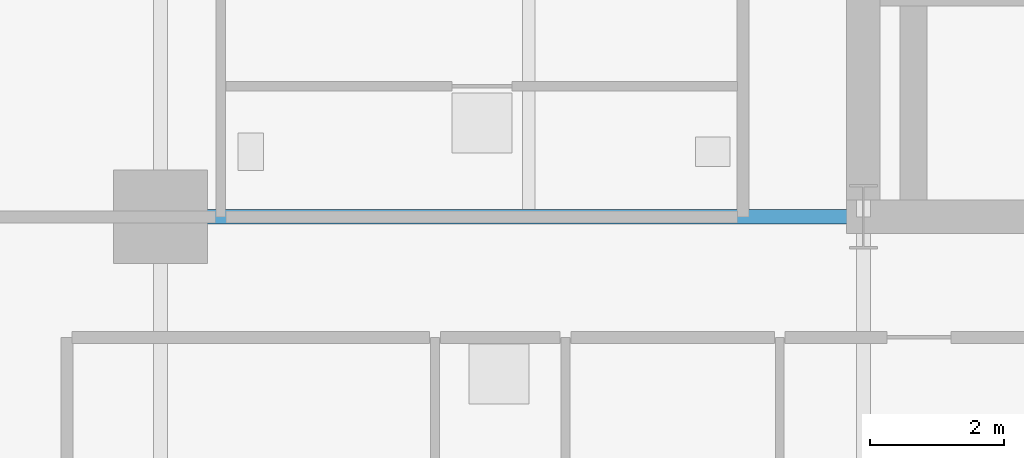
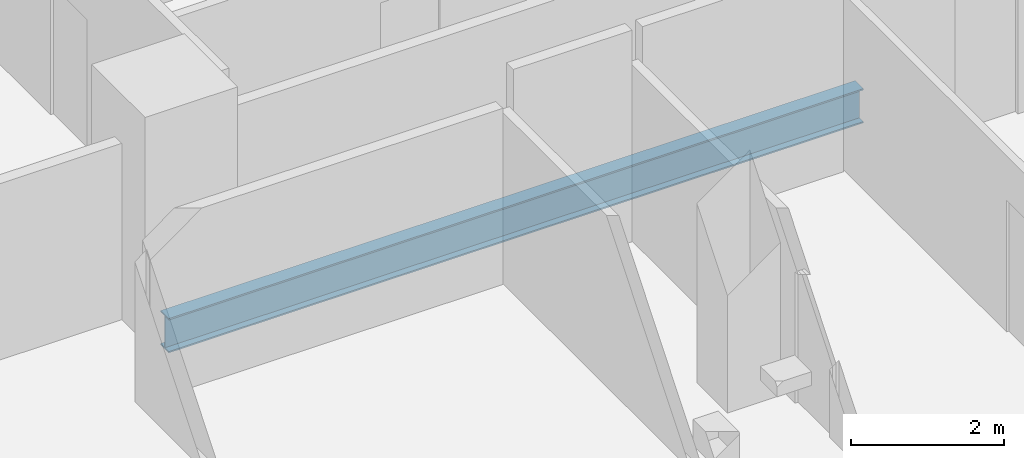
# One storey, part 5 of 24: 1 beam.
"""IFC4 building model written with IfcOpenShell, lengths in metres."""

from ifc_helpers import new_model, si_unit, direction, frame, origin, origin_2d, place, context, subcontext, project, spatial, i_section, extrude, material, material_profile, profile_set, type_object, element, save


model = new_model("IFC4")

# Units and contexts
model_context = context("Model", 3, precision=1e-05, world=origin(), true_north=direction((0.0, 1.0)))
body_context = subcontext(model_context, "Body", "Model", "MODEL_VIEW")
ifc_project = project(units=[si_unit("LENGTHUNIT", "METRE"), si_unit("AREAUNIT", "SQUARE_METRE"), si_unit("VOLUMEUNIT", "CUBIC_METRE"), si_unit("PLANEANGLEUNIT", "RADIAN"), si_unit("MASSUNIT", "GRAM", prefix="KILO")], contexts=[model_context])

# Site, building, storey
site_placement = place(None, origin())
site = spatial("IfcSite", under=ifc_project, at=site_placement, CompositionType="ELEMENT")
building_placement = place(site_placement, origin())
building = spatial("IfcBuilding", under=site, at=building_placement, Name="Barlavira Tower and Art Museum", CompositionType="ELEMENT")
storey_placement = place(building_placement, frame((0.0, 0.0, 46.800048828125)))
storey = spatial("IfcBuildingStorey", under=building, at=storey_placement, Name="L10", CompositionType="ELEMENT", Elevation=46.800048828125)

# Beam
ifc_material = material(Name="Steel S355", Category="steel")
ifc_material_profile = material_profile(ifc_material, i_section(OverallWidth=0.214111328125, OverallDepth=0.549072265625, WebThickness=0.0146484375, FlangeThickness=0.023681640625, at=origin_2d()), Name="W530x138.0")
ifc_profile_set = profile_set([ifc_material_profile], Name="Steel S355")
beam_type = type_object("IfcBeamType", Name="Zone 1 Primary Floor Girder W530x138 Steel S355", PredefinedType="BEAM", material=ifc_profile_set)
beam_placement = place(storey_placement, frame((-17.0, -7.5, -0.49462890625), z_axis=(1.0, 0.0, 0.0), x_axis=(0.0, 1.0, 0.0)))
element("IfcBeam", 1, at=beam_placement, inside=storey, type_object=beam_type, Name="L10 Girder R-W1", PredefinedType="BEAM", context=body_context, shape_type="SweptSolid", body=[
    extrude(i_section(OverallWidth=0.214111328125, OverallDepth=0.549072265625, WebThickness=0.0146484375, FlangeThickness=0.023681640625, at=origin_2d()), origin(), (0.0, 0.0, 1.0), 10.5),
])

save(model, "model.ifc")
